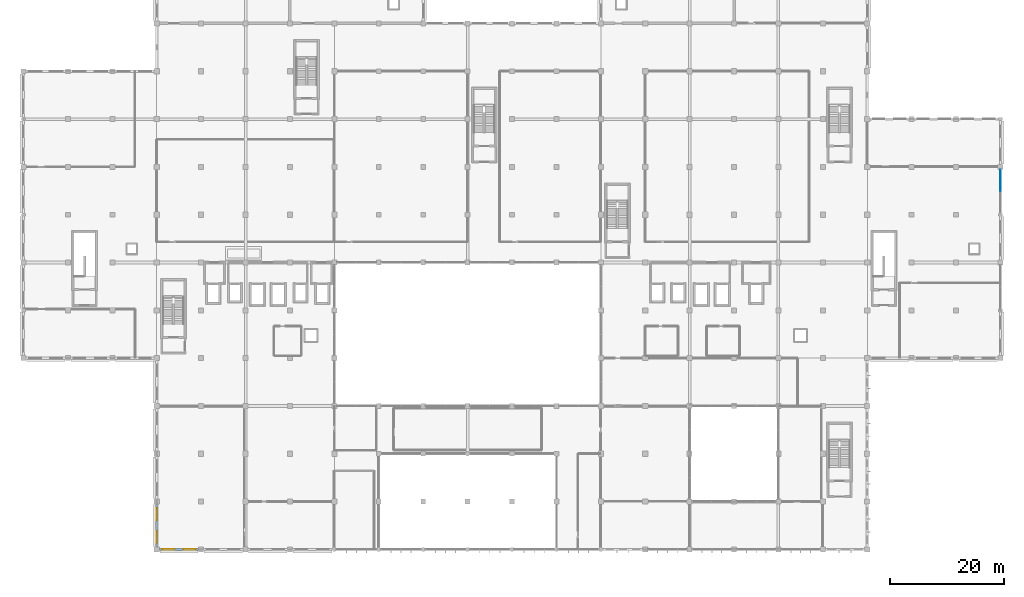
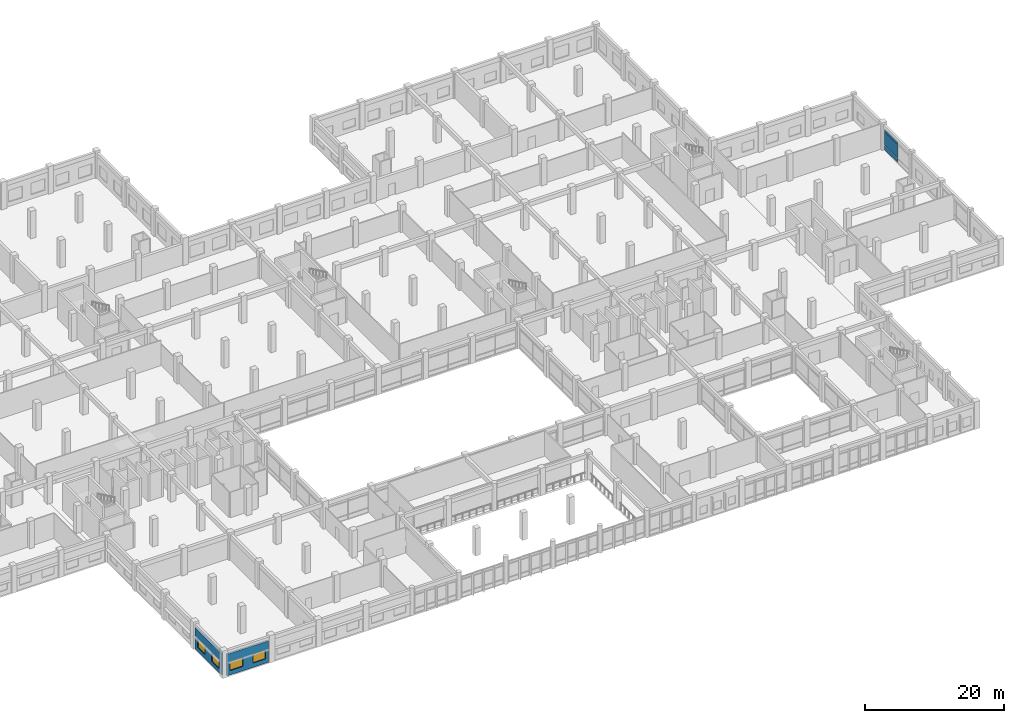
# One storey, part 52 of 79: 4 windows, 3 plates, 2 walls, 4 openings, 1 element without a shape of its own.
"""IFC4 building model written with IfcOpenShell, lengths in metres."""

from ifc_helpers import new_model, si_unit, direction, frame, frame_2d, origin, origin_2d, place, context, subcontext, project, spatial, rectangle, extrude, material, layer, layer_set, type_object, element, fill, aggregate, save


model = new_model("IFC4")

# Units and contexts
model_context = context("Model", 3, precision=1e-05, world=origin(), true_north=direction((0.0, 1.0)))
body_context = subcontext(model_context, "Body", "Model", "MODEL_VIEW")
ifc_project = project(units=[si_unit("LENGTHUNIT", "METRE"), si_unit("AREAUNIT", "SQUARE_METRE"), si_unit("VOLUMEUNIT", "CUBIC_METRE"), si_unit("PLANEANGLEUNIT", "RADIAN"), si_unit("MASSUNIT", "GRAM", prefix="KILO"), si_unit("THERMODYNAMICTEMPERATUREUNIT", "KELVIN"), si_unit("POWERUNIT", "WATT")], contexts=[model_context])

# Site, building, storey
site_placement = place(None, origin())
site = spatial("IfcSite", under=ifc_project, at=site_placement, CompositionType="ELEMENT")
building_placement = place(site_placement, origin())
building = spatial("IfcBuilding", under=site, at=building_placement, Name="Srebrne Nadtorze General Hospital", CompositionType="ELEMENT")
storey_placement = place(building_placement, frame((0.0, 0.0, 4.800048828125)))
storey = spatial("IfcBuildingStorey", under=building, at=storey_placement, Name="L01", CompositionType="ELEMENT", Elevation=4.800048828125)

# Curtain wall, plates
ifc_material_1 = material(Name="Anodised Aluminium", Category="aluminium")
curtain_wall_type = type_object("IfcCurtainWallType", Name="Unitised curtain wall 7725x3750", PredefinedType="NOTDEFINED", material=ifc_material_1)
curtain_wall_placement = place(storey_placement, origin())
curtain_wall = element("IfcCurtainWall", 1, at=curtain_wall_placement, inside=storey, type_object=curtain_wall_type, Name="Curtain wall CW-067", PredefinedType="NOTDEFINED")
ifc_material_2 = material(Name="Triple Low-E Glazing", Category="glass")
ifc_layer_1 = layer(ifc_material_2, 0.050048828125)
ifc_layer_set_1 = layer_set([ifc_layer_1], Name="Triple Low-E Glazing")
plate_type = type_object("IfcPlateType", Name="Glazed curtain panel 50", PredefinedType="CURTAIN_PANEL", material=ifc_layer_set_1)
plate_1_placement = place(storey_placement, frame((171.60009765625, 64.827392578125, 0.06494140625), z_axis=(0.0, 0.0, 1.0), x_axis=(0.0, 1.0, 0.0)))
plate_1 = element("IfcPlate", 2, at=plate_1_placement, type_object=plate_type, Name="CW-067 panel 2.1", PredefinedType="CURTAIN_PANEL", context=body_context, shape_type="SweptSolid", body=[
    extrude(rectangle(XDim=3.764892578125, YDim=0.050048828125, at=origin_2d()), origin(), (0.0, 0.0, 1.0), 0.75244140625),
])
plate_2_placement = place(storey_placement, frame((171.60009765625, 64.827392578125, 0.882568359375), z_axis=(0.0, 0.0, 1.0), x_axis=(0.0, 1.0, 0.0)))
plate_2 = element("IfcPlate", 3, at=plate_2_placement, type_object=plate_type, Name="CW-067 panel 2.2", PredefinedType="CURTAIN_PANEL", context=body_context, shape_type="SweptSolid", body=[
    extrude(rectangle(XDim=3.764892578125, YDim=0.050048828125, at=origin_2d()), origin(), (0.0, 0.0, 1.0), 2.3349609375),
])
plate_3_placement = place(storey_placement, frame((171.60009765625, 64.827392578125, 3.2822265625), z_axis=(0.0, 0.0, 1.0), x_axis=(0.0, 1.0, 0.0)))
plate_3 = element("IfcPlate", 4, at=plate_3_placement, type_object=plate_type, Name="CW-067 panel 2.3", PredefinedType="CURTAIN_PANEL", context=body_context, shape_type="SweptSolid", body=[
    extrude(rectangle(XDim=3.764892578125, YDim=0.050048828125, at=origin_2d()), origin(), (0.0, 0.0, 1.0), 0.402587890625),
])
aggregate(curtain_wall, [plate_1, plate_2, plate_3])

# Wall, openings, windows
ifc_material_3 = material(Name="Concrete C35/45", Category="concrete")
ifc_layer_2 = layer(ifc_material_3, 0.320068359375)
ifc_layer_set_2 = layer_set([ifc_layer_2], Name="Concrete C35/45")
wall_type = type_object("IfcWallType", Name="Spandrel wall 320", PredefinedType="STANDARD", material=ifc_layer_set_2)
wall_1_placement = place(storey_placement, frame((23.85009765625, 0.0, 0.0), z_axis=(0.0, 0.0, 1.0), x_axis=(1.0, 0.0, 0.0)))
wall_1 = element("IfcWall", 5, at=wall_1_placement, inside=storey, type_object=wall_type, Name="Exterior wall WL-ENV-L01-0150", PredefinedType="STANDARD", context=body_context, shape_type="SweptSolid", body=[
    extrude(rectangle(XDim=6.89990234375, YDim=0.320068359375, at=frame_2d((3.449951171875, 0.0))), origin(), (0.0, 0.0, 1.0), 3.75),
])
opening_1_placement = place(wall_1_placement, frame((0.528076171875, 0.0, 0.75)))
opening_1 = element("IfcOpeningElement", 6, at=opening_1_placement, cuts=wall_1, Name="Opening WN-L01-0119", PredefinedType="OPENING", context=body_context, shape_type="SweptSolid", body=[
    extrude(rectangle(XDim=2.10009765625, YDim=1.550048828125, at=frame_2d((1.050048828125, 0.77490234375))), frame((0.0, 0.171875, 0.0), z_axis=(0.0, -1.0, 0.0), x_axis=(1.0, 0.0, 0.0)), (0.0, 0.0, 1.0), 0.343994140625),
])
opening_2_placement = place(wall_1_placement, frame((4.27197265625, 0.0, 0.75)))
opening_2 = element("IfcOpeningElement", 7, at=opening_2_placement, cuts=wall_1, Name="Opening WN-L01-0120", PredefinedType="OPENING", context=body_context, shape_type="SweptSolid", body=[
    extrude(rectangle(XDim=2.10009765625, YDim=1.550048828125, at=frame_2d((1.050048828125, 0.77490234375))), frame((0.0, 0.171875, 0.0), z_axis=(0.0, -1.0, 0.0), x_axis=(1.0, 0.0, 0.0)), (0.0, 0.0, 1.0), 0.343994140625),
])
ifc_material_4 = material(Name="Triple Low-E Glazing", Category="glass")
window_type = type_object("IfcWindowType", Name="Punched clinical window 2100x1550", PartitioningType="DOUBLE_PANEL_VERTICAL", PredefinedType="WINDOW", material=ifc_material_4)
window_1_placement = place(opening_1_placement, origin())
window_1 = element("IfcWindow", 8, at=window_1_placement, inside=storey, type_object=window_type, Name="Clinical window WN-L01-0119", OverallHeight=1.550048828125, OverallWidth=2.10009765625, PartitioningType="DOUBLE_PANEL_VERTICAL", PredefinedType="WINDOW", context=body_context, shape_type="SweptSolid", body=[
    extrude(rectangle(XDim=2.10009765625, YDim=1.550048828125, at=frame_2d((1.050048828125, 0.77490234375))), frame((0.0, 0.030029296875, 0.0), z_axis=(0.0, -1.0, 0.0), x_axis=(1.0, 0.0, 0.0)), (0.0, 0.0, 1.0), 0.06005859375),
])
fill(opening_1, window_1)
window_2_placement = place(opening_2_placement, origin())
window_2 = element("IfcWindow", 9, at=window_2_placement, inside=storey, type_object=window_type, Name="Clinical window WN-L01-0120", OverallHeight=1.550048828125, OverallWidth=2.10009765625, PartitioningType="DOUBLE_PANEL_VERTICAL", PredefinedType="WINDOW", context=body_context, shape_type="SweptSolid", body=[
    extrude(rectangle(XDim=2.10009765625, YDim=1.550048828125, at=frame_2d((1.050048828125, 0.77490234375))), frame((0.0, 0.030029296875, 0.0), z_axis=(0.0, -1.0, 0.0), x_axis=(1.0, 0.0, 0.0)), (0.0, 0.0, 1.0), 0.06005859375),
])
fill(opening_2, window_2)

wall_2_placement = place(storey_placement, frame((23.39990234375, 0.449951171875, 0.0), z_axis=(0.0, 0.0, 1.0), x_axis=(0.0, 1.0, 0.0)))
wall_2 = element("IfcWall", 10, at=wall_2_placement, inside=storey, type_object=wall_type, Name="Exterior wall WL-ENV-L01-0190", PredefinedType="STANDARD", context=body_context, shape_type="SweptSolid", body=[
    extrude(rectangle(XDim=7.5, YDim=0.320068359375, at=frame_2d((3.75, 0.0))), origin(), (0.0, 0.0, 1.0), 3.75),
])
opening_3_placement = place(wall_2_placement, frame((0.68408203125, 0.0, 0.75)))
opening_3 = element("IfcOpeningElement", 11, at=opening_3_placement, cuts=wall_2, Name="Opening WN-L01-0200", PredefinedType="OPENING", context=body_context, shape_type="SweptSolid", body=[
    extrude(rectangle(XDim=2.10009765625, YDim=1.550048828125, at=frame_2d((1.050048828125, 0.77490234375))), frame((0.0, 0.171875, 0.0), z_axis=(0.0, -1.0, 0.0), x_axis=(1.0, 0.0, 0.0)), (0.0, 0.0, 1.0), 0.343994140625),
])
opening_4_placement = place(wall_2_placement, frame((4.716064453125, 0.0, 0.75)))
opening_4 = element("IfcOpeningElement", 12, at=opening_4_placement, cuts=wall_2, Name="Opening WN-L01-0201", PredefinedType="OPENING", context=body_context, shape_type="SweptSolid", body=[
    extrude(rectangle(XDim=2.10009765625, YDim=1.550048828125, at=frame_2d((1.050048828125, 0.77490234375))), frame((0.0, 0.171875, 0.0), z_axis=(0.0, -1.0, 0.0), x_axis=(1.0, 0.0, 0.0)), (0.0, 0.0, 1.0), 0.343994140625),
])
window_3_placement = place(opening_3_placement, origin())
window_3 = element("IfcWindow", 13, at=window_3_placement, inside=storey, type_object=window_type, Name="Clinical window WN-L01-0200", OverallHeight=1.550048828125, OverallWidth=2.10009765625, PartitioningType="DOUBLE_PANEL_VERTICAL", PredefinedType="WINDOW", context=body_context, shape_type="SweptSolid", body=[
    extrude(rectangle(XDim=2.10009765625, YDim=1.550048828125, at=frame_2d((1.050048828125, 0.77490234375))), frame((0.0, 0.030029296875, 0.0), z_axis=(0.0, -1.0, 0.0), x_axis=(1.0, 0.0, 0.0)), (0.0, 0.0, 1.0), 0.06005859375),
])
fill(opening_3, window_3)
window_4_placement = place(opening_4_placement, origin())
window_4 = element("IfcWindow", 14, at=window_4_placement, inside=storey, type_object=window_type, Name="Clinical window WN-L01-0201", OverallHeight=1.550048828125, OverallWidth=2.10009765625, PartitioningType="DOUBLE_PANEL_VERTICAL", PredefinedType="WINDOW", context=body_context, shape_type="SweptSolid", body=[
    extrude(rectangle(XDim=2.10009765625, YDim=1.550048828125, at=frame_2d((1.050048828125, 0.77490234375))), frame((0.0, 0.030029296875, 0.0), z_axis=(0.0, -1.0, 0.0), x_axis=(1.0, 0.0, 0.0)), (0.0, 0.0, 1.0), 0.06005859375),
])
fill(opening_4, window_4)

save(model, "model.ifc")
